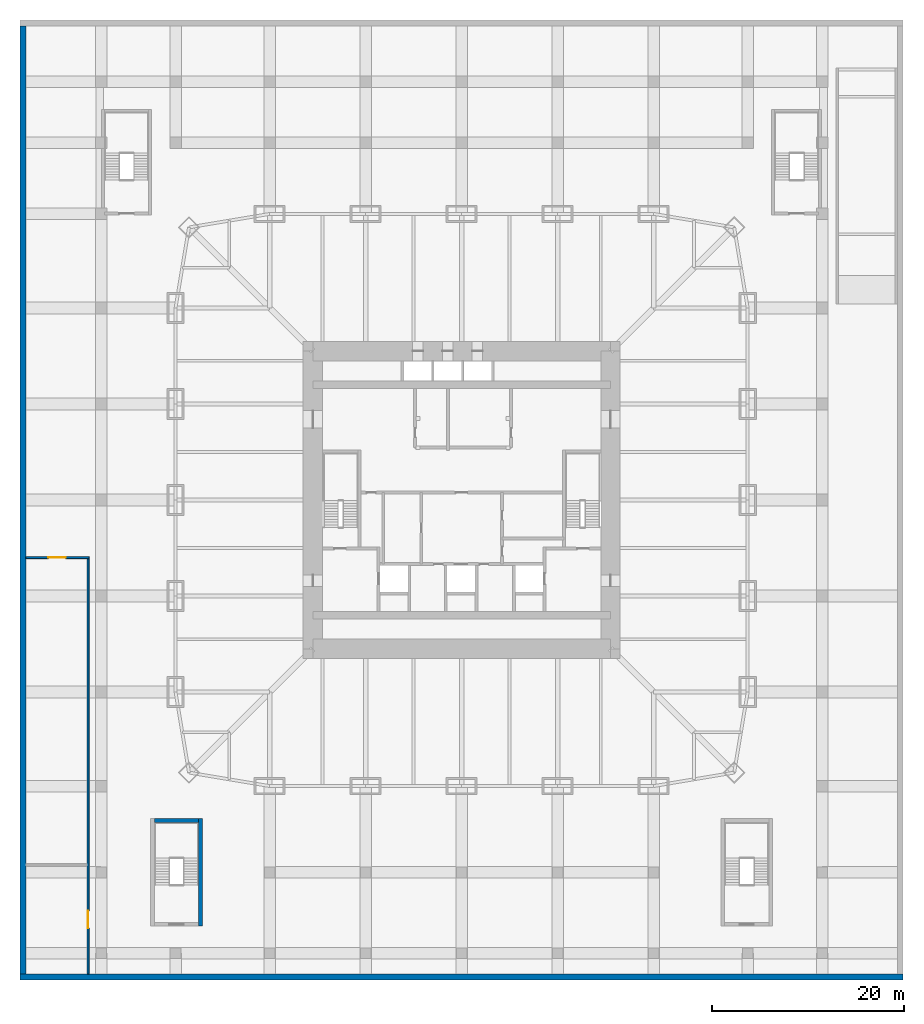
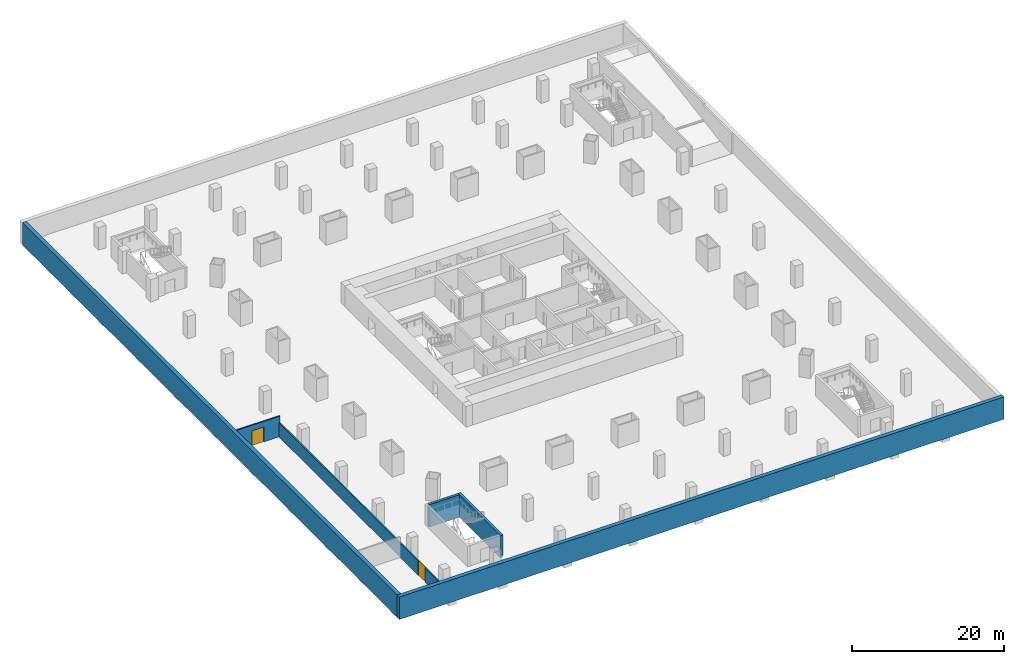
# One storey, part 4 of 11: 6 walls, 2 doors, 2 openings.
"""IFC4 building model written with IfcOpenShell, lengths in metres."""

from ifc_helpers import new_model, si_unit, direction, frame, frame_2d, origin, place, context, subcontext, project, spatial, rectangle, extrude, material, layer, layer_set, type_object, element, fill, save


model = new_model("IFC4")

# Units and contexts
model_context = context("Model", 3, precision=1e-05, world=origin(), true_north=direction((0.0, 1.0)))
body_context = subcontext(model_context, "Body", "Model", "MODEL_VIEW")
ifc_project = project(units=[si_unit("LENGTHUNIT", "METRE"), si_unit("AREAUNIT", "SQUARE_METRE"), si_unit("VOLUMEUNIT", "CUBIC_METRE"), si_unit("PLANEANGLEUNIT", "RADIAN"), si_unit("MASSUNIT", "GRAM", prefix="KILO")], contexts=[model_context])

# Site, building, storey
site_placement = place(None, origin())
site = spatial("IfcSite", under=ifc_project, at=site_placement, CompositionType="ELEMENT")
building_placement = place(site_placement, origin())
building = spatial("IfcBuilding", under=site, at=building_placement, Name="Khuree Lantern Residences", CompositionType="ELEMENT")
storey_placement = place(building_placement, frame((0.0, 0.0, -9.0)))
storey = spatial("IfcBuildingStorey", under=building, at=storey_placement, Name="B2", CompositionType="ELEMENT", Elevation=-9.0)

# Wall, opening, door
ifc_material_1 = material(Name="Dense concrete blockwork", Category="masonry")
ifc_layer_1 = layer(ifc_material_1, 0.199951171875)
ifc_layer_set_1 = layer_set([ifc_layer_1], Name="ROOM WALL RMW200")
wall_type_1 = type_object("IfcWallType", Name="ROOM WALL RMW200", PredefinedType="SOLIDWALL", material=ifc_layer_set_1)
wall_1_placement = place(storey_placement, frame((-38.89990234375, -49.3798828125, 0.0), z_axis=(0.0, 0.0, 1.0), x_axis=(0.0, 1.0, 0.0)))
wall_1 = element("IfcWall", 1, at=wall_1_placement, inside=storey, type_object=wall_type_1, Name="B2 ROOM WALL 1", PredefinedType="SOLIDWALL", context=body_context, shape_type="SweptSolid", body=[
    extrude(rectangle(XDim=43.27978515625, YDim=0.199951171875, at=frame_2d((21.639892578125, 0.0))), origin(), (0.0, 0.0, 1.0), 2.300048828125),
])
opening_1_placement = place(wall_1_placement, frame((4.77001953125, 0.0, 0.0)))
opening_1 = element("IfcOpeningElement", 2, at=opening_1_placement, cuts=wall_1, Name="Opening B2-026", PredefinedType="OPENING", context=body_context, shape_type="SweptSolid", body=[
    extrude(rectangle(XDim=1.800048828125, YDim=2.39990234375, at=frame_2d((0.89990234375, 1.199951171875))), frame((0.0, 0.10986328125, 0.0), z_axis=(0.0, -1.0, 0.0), x_axis=(1.0, 0.0, 0.0)), (0.0, 0.0, 1.0), 0.219970703125),
])
ifc_material_2 = material(Name="Timber door leaf in hardwood frame", Category="wood")
door_type = type_object("IfcDoorType", Name="DOUBLE DOOR 1800X2400", OperationType="DOUBLE_DOOR_SINGLE_SWING", PredefinedType="DOOR", material=ifc_material_2)
door_1_placement = place(opening_1_placement, origin())
door_1 = element("IfcDoor", 3, at=door_1_placement, inside=storey, type_object=door_type, Name="Bicycle store door B2-026", OperationType="DOUBLE_DOOR_SINGLE_SWING", OverallHeight=2.39990234375, OverallWidth=1.800048828125, PredefinedType="DOOR", context=body_context, shape_type="SweptSolid", body=[
    extrude(rectangle(XDim=1.800048828125, YDim=2.39990234375, at=frame_2d((0.89990234375, 1.199951171875))), frame((0.0, 0.02490234375, 0.0), z_axis=(0.0, -1.0, 0.0), x_axis=(1.0, 0.0, 0.0)), (0.0, 0.0, 1.0), 0.050048828125),
])
fill(opening_1, door_1)

wall_2_placement = place(storey_placement, frame((-45.3798828125, -6.0, 0.0), z_axis=(0.0, 0.0, 1.0), x_axis=(1.0, 0.0, 0.0)))
wall_2 = element("IfcWall", 4, at=wall_2_placement, inside=storey, type_object=wall_type_1, Name="B2 ROOM WALL 3", PredefinedType="SOLIDWALL", context=body_context, shape_type="SweptSolid", body=[
    extrude(rectangle(XDim=6.579833984375, YDim=0.199951171875, at=frame_2d((3.2900390625, 0.0))), origin(), (0.0, 0.0, 1.0), 3.300048828125),
])
opening_2_placement = place(wall_2_placement, frame((2.320068359375, 0.0, 0.0)))
opening_2 = element("IfcOpeningElement", 5, at=opening_2_placement, cuts=wall_2, Name="Opening B2-027", PredefinedType="OPENING", context=body_context, shape_type="SweptSolid", body=[
    extrude(rectangle(XDim=1.800048828125, YDim=2.39990234375, at=frame_2d((0.89990234375, 1.199951171875))), frame((0.0, 0.10986328125, 0.0), z_axis=(0.0, -1.0, 0.0), x_axis=(1.0, 0.0, 0.0)), (0.0, 0.0, 1.0), 0.219970703125),
])
door_2_placement = place(opening_2_placement, origin())
door_2 = element("IfcDoor", 6, at=door_2_placement, inside=storey, type_object=door_type, Name="Bicycle store door B2-027", OperationType="DOUBLE_DOOR_SINGLE_SWING", OverallHeight=2.39990234375, OverallWidth=1.800048828125, PredefinedType="DOOR", context=body_context, shape_type="SweptSolid", body=[
    extrude(rectangle(XDim=1.800048828125, YDim=2.39990234375, at=frame_2d((0.89990234375, 1.199951171875))), frame((0.0, 0.02490234375, 0.0), z_axis=(0.0, -1.0, 0.0), x_axis=(1.0, 0.0, 0.0)), (0.0, 0.0, 1.0), 0.050048828125),
])
fill(opening_2, door_2)

# Walls
ifc_material_3 = material(Name="Concrete C40/50", Category="concrete")
ifc_layer_2 = layer(ifc_material_3, 0.60009765625)
ifc_layer_set_2 = layer_set([ifc_layer_2], Name="RW1 BASEMENT RETAINING WALL 600")
wall_type_2 = type_object("IfcWallType", Name="RW1 BASEMENT RETAINING WALL 600", PredefinedType="SOLIDWALL", material=ifc_layer_set_2)
wall_3_placement = place(storey_placement, frame((-46.0, -49.699951171875, -0.300048828125), z_axis=(0.0, 0.0, 1.0), x_axis=(1.0, 0.0, 0.0)))
element("IfcWall", 7, at=wall_3_placement, inside=storey, type_object=wall_type_2, Name="Retaining wall S", PredefinedType="SOLIDWALL", context=body_context, shape_type="SweptSolid", body=[
    extrude(rectangle(XDim=92.0, YDim=0.60009765625, at=frame_2d((46.0, 0.0))), origin(), (0.0, 0.0, 1.0), 3.60009765625),
])
wall_4_placement = place(storey_placement, frame((-45.699951171875, -49.39990234375, -0.300048828125), z_axis=(0.0, 0.0, 1.0), x_axis=(0.0, 1.0, 0.0)))
element("IfcWall", 8, at=wall_4_placement, inside=storey, type_object=wall_type_2, Name="Retaining wall W", PredefinedType="SOLIDWALL", context=body_context, shape_type="SweptSolid", body=[
    extrude(rectangle(XDim=98.7998046875, YDim=0.60009765625, at=frame_2d((49.39990234375, 0.0))), origin(), (0.0, 0.0, 1.0), 3.60009765625),
])
ifc_layer_3 = layer(ifc_material_3, 0.39990234375)
ifc_layer_set_3 = layer_set([ifc_layer_3], Name="STAIR WALL BSW400 REI 240")
wall_type_3 = type_object("IfcWallType", Name="STAIR WALL BSW400 REI 240", PredefinedType="SOLIDWALL", material=ifc_layer_set_3)
wall_5_placement = place(storey_placement, frame((-27.199951171875, -44.39990234375, -0.300048828125), z_axis=(0.0, 0.0, 1.0), x_axis=(0.0, 1.0, 0.0)))
element("IfcWall", 9, at=wall_5_placement, inside=storey, type_object=wall_type_3, Name="B2 STAIR ST5 WALL E", PredefinedType="SOLIDWALL", context=body_context, shape_type="SweptSolid", body=[
    extrude(rectangle(XDim=11.199951171875, YDim=0.39990234375, at=frame_2d((5.60009765625, 0.0))), origin(), (0.0, 0.0, 1.0), 3.60009765625),
])
wall_6_placement = place(storey_placement, frame((-32.0, -33.39990234375, -0.300048828125), z_axis=(0.0, 0.0, 1.0), x_axis=(1.0, 0.0, 0.0)))
element("IfcWall", 10, at=wall_6_placement, inside=storey, type_object=wall_type_3, Name="B2 STAIR ST5 WALL N", PredefinedType="SOLIDWALL", context=body_context, shape_type="SweptSolid", body=[
    extrude(rectangle(XDim=4.60009765625, YDim=0.39990234375, at=frame_2d((2.300048828125, 0.0))), origin(), (0.0, 0.0, 1.0), 3.60009765625),
])

save(model, "model.ifc")
